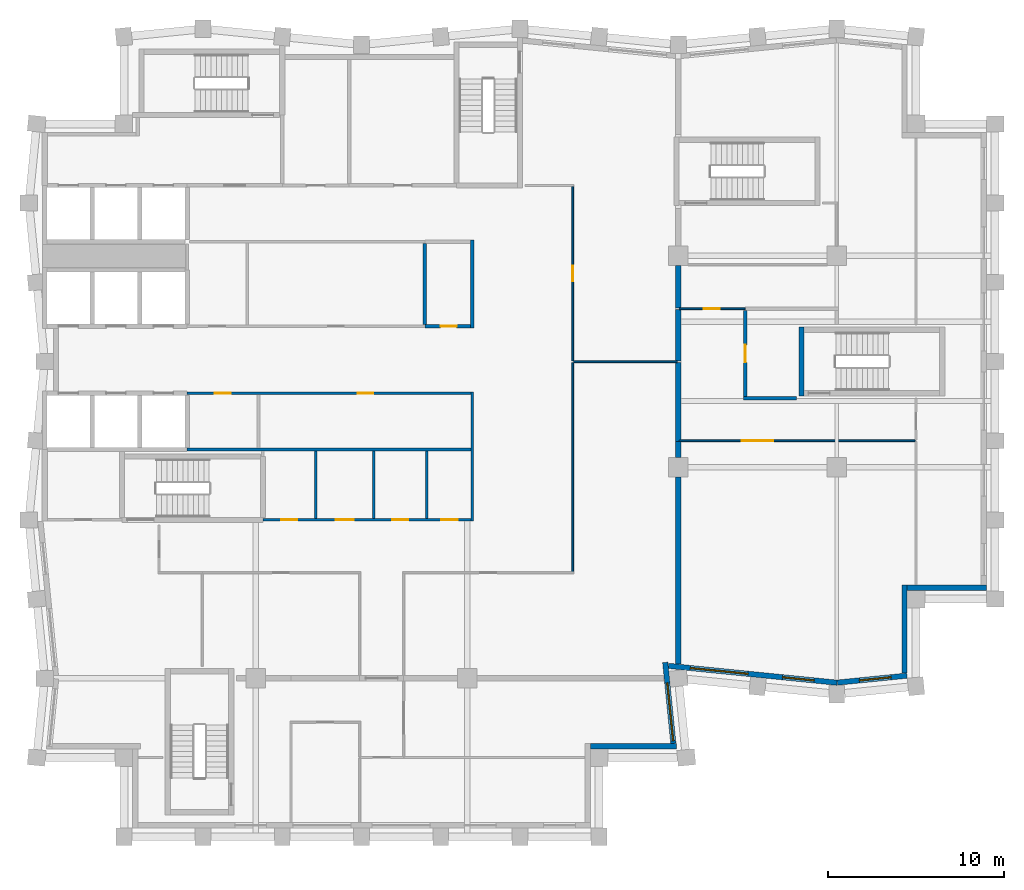
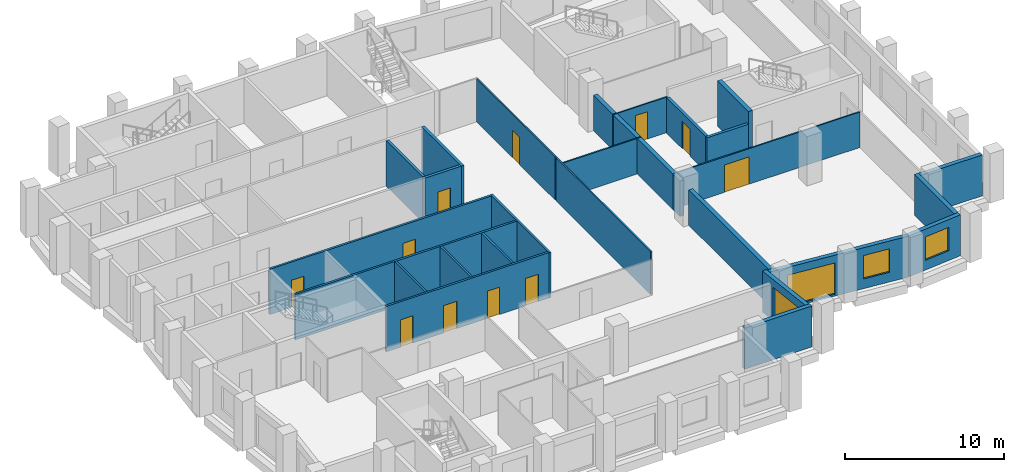
# One storey, part 4 of 8: 29 walls, 11 doors, 4 windows, 15 openings.
"""IFC4 building model written with IfcOpenShell, lengths in metres."""

from ifc_helpers import new_model, si_unit, direction, frame, frame_2d, origin, place, context, subcontext, project, spatial, rectangle, extrude, material, layer, layer_set, type_object, element, fill, save


model = new_model("IFC4")

# Units and contexts
model_context = context("Model", 3, precision=1e-05, world=origin(), true_north=direction((0.0, 1.0)))
body_context = subcontext(model_context, "Body", "Model", "MODEL_VIEW")
ifc_project = project(units=[si_unit("LENGTHUNIT", "METRE"), si_unit("AREAUNIT", "SQUARE_METRE"), si_unit("VOLUMEUNIT", "CUBIC_METRE"), si_unit("PLANEANGLEUNIT", "RADIAN"), si_unit("MASSUNIT", "GRAM", prefix="KILO")], contexts=[model_context])

# Site, building, storey
site_placement = place(None, origin())
site = spatial("IfcSite", under=ifc_project, at=site_placement, CompositionType="ELEMENT")
building_placement = place(site_placement, origin())
building = spatial("IfcBuilding", under=site, at=building_placement, Name="Brondeck Convention Tower", CompositionType="ELEMENT")
storey_placement = place(building_placement, frame((0.0, 0.0, 240.60009765625)))
storey = spatial("IfcBuildingStorey", under=building, at=storey_placement, Name="L59", CompositionType="ELEMENT", Elevation=240.60009765625)

# Walls
ifc_material_1 = material(Name="Concrete compartment wall C30/37", Category="concrete")
ifc_layer_1 = layer(ifc_material_1, 0.300048828125)
ifc_layer_set_1 = layer_set([ifc_layer_1], Name="Compartment wall 300")
wall_type_1 = type_object("IfcWallType", Name="Compartment wall 300", PredefinedType="PARTITIONING", material=ifc_layer_set_1)
wall_1_placement = place(storey_placement, frame((36.0, 27.823974609375, 0.0), z_axis=(0.0, 0.0, 1.0), x_axis=(0.0, 1.0, 0.0)))
element("IfcWall", 1, at=wall_1_placement, inside=storey, type_object=wall_type_1, Name="FLR-L59-W021", PredefinedType="PARTITIONING", context=body_context, shape_type="SweptSolid", body=[
    extrude(rectangle(XDim=10.62109375, YDim=0.300048828125, at=frame_2d((5.310546875, 0.0))), origin(), (0.0, 0.0, 1.0), 2.72998046875),
])
wall_2_placement = place(storey_placement, frame((36.0, 39.554931640625, 0.0), z_axis=(0.0, 0.0, 1.0), x_axis=(0.0, 1.0, 0.0)))
element("IfcWall", 2, at=wall_2_placement, inside=storey, type_object=wall_type_1, Name="FLR-L59-W030", PredefinedType="PARTITIONING", context=body_context, shape_type="SweptSolid", body=[
    extrude(rectangle(XDim=0.89501953125, YDim=0.300048828125, at=frame_2d((0.447509765625, 0.0))), origin(), (0.0, 0.0, 1.0), 2.72998046875),
])
wall_3_placement = place(storey_placement, frame((36.0, 40.455078125, 0.0), z_axis=(0.0, 0.0, 1.0), x_axis=(0.0, 1.0, 0.0)))
element("IfcWall", 3, at=wall_3_placement, inside=storey, type_object=wall_type_1, Name="FLR-L59-W032", PredefinedType="PARTITIONING", context=body_context, shape_type="SweptSolid", body=[
    extrude(rectangle(XDim=4.48486328125, YDim=0.300048828125, at=frame_2d((2.242431640625, 0.0))), origin(), (0.0, 0.0, 1.0), 2.72998046875),
])
wall_4_placement = place(storey_placement, frame((36.0, 45.0400390625, 0.0), z_axis=(0.0, 0.0, 1.0), x_axis=(0.0, 1.0, 0.0)))
element("IfcWall", 4, at=wall_4_placement, inside=storey, type_object=wall_type_1, Name="FLR-L59-W037", PredefinedType="PARTITIONING", context=body_context, shape_type="SweptSolid", body=[
    extrude(rectangle(XDim=2.909912109375, YDim=0.300048828125, at=frame_2d((1.455078125, 0.0))), origin(), (0.0, 0.0, 1.0), 2.72998046875),
])
wall_5_placement = place(storey_placement, frame((36.0, 48.050048828125, 0.0), z_axis=(0.0, 0.0, 1.0), x_axis=(0.0, 1.0, 0.0)))
element("IfcWall", 5, at=wall_5_placement, inside=storey, type_object=wall_type_1, Name="FLR-L59-W043", PredefinedType="PARTITIONING", context=body_context, shape_type="SweptSolid", body=[
    extrude(rectangle(XDim=2.39501953125, YDim=0.300048828125, at=frame_2d((1.197509765625, 0.0))), origin(), (0.0, 0.0, 1.0), 2.72998046875),
])

# Wall, openings, doors
ifc_material_2 = material(Name="Concrete C50/60", Category="concrete")
ifc_layer_2 = layer(ifc_material_2, 0.14990234375)
ifc_layer_set_2 = layer_set([ifc_layer_2], Name="Core beam-seat wall 150 Concrete C50/60")
wall_type_2 = type_object("IfcWallType", Name="Core beam-seat wall 150 Concrete C50/60", PredefinedType="SHEAR", material=ifc_layer_set_2)
wall_6_placement = place(storey_placement, frame((12.39990234375, 36.0, 0.0), z_axis=(0.0, 0.0, 1.0), x_axis=(1.0, 0.0, 0.0)))
wall_6 = element("IfcWall", 6, at=wall_6_placement, inside=storey, type_object=wall_type_2, Name="L59 core wall", PredefinedType="SHEAR", context=body_context, shape_type="SweptSolid", body=[
    extrude(rectangle(XDim=11.8251953125, YDim=0.14990234375, at=frame_2d((5.91259765625, 0.0))), origin(), (0.0, 0.0, 1.0), 3.5),
])
opening_1_placement = place(wall_6_placement, frame((1.050048828125, 0.0, 0.0)))
opening_1 = element("IfcOpeningElement", 7, at=opening_1_placement, cuts=wall_6, Name="Opening C32-03", PredefinedType="OPENING", context=body_context, shape_type="SweptSolid", body=[
    extrude(rectangle(XDim=0.89990234375, YDim=2.10009765625, at=frame_2d((0.449951171875, 1.050048828125))), frame((0.0, 0.0849609375, 0.0), z_axis=(0.0, -1.0, 0.0), x_axis=(1.0, 0.0, 0.0)), (0.0, 0.0, 1.0), 0.169921875),
])
opening_2_placement = place(wall_6_placement, frame((4.14990234375, 0.0, 0.0)))
opening_2 = element("IfcOpeningElement", 8, at=opening_2_placement, cuts=wall_6, Name="Opening C32-04", PredefinedType="OPENING", context=body_context, shape_type="SweptSolid", body=[
    extrude(rectangle(XDim=1.0, YDim=2.10009765625, at=frame_2d((0.5, 1.050048828125))), frame((0.0, 0.0849609375, 0.0), z_axis=(0.0, -1.0, 0.0), x_axis=(1.0, 0.0, 0.0)), (0.0, 0.0, 1.0), 0.169921875),
])
opening_3_placement = place(wall_6_placement, frame((7.35009765625, 0.0, 0.0)))
opening_3 = element("IfcOpeningElement", 9, at=opening_3_placement, cuts=wall_6, Name="Opening C32-05", PredefinedType="OPENING", context=body_context, shape_type="SweptSolid", body=[
    extrude(rectangle(XDim=0.89990234375, YDim=2.10009765625, at=frame_2d((0.449951171875, 1.050048828125))), frame((0.0, 0.0849609375, 0.0), z_axis=(0.0, -1.0, 0.0), x_axis=(1.0, 0.0, 0.0)), (0.0, 0.0, 1.0), 0.169921875),
])
opening_4_placement = place(wall_6_placement, frame((10.125, 0.0, 0.0)))
opening_4 = element("IfcOpeningElement", 10, at=opening_4_placement, cuts=wall_6, Name="Opening C32-06", PredefinedType="OPENING", context=body_context, shape_type="SweptSolid", body=[
    extrude(rectangle(XDim=0.949951171875, YDim=2.10009765625, at=frame_2d((0.47509765625, 1.050048828125))), frame((0.0, 0.0849609375, 0.0), z_axis=(0.0, -1.0, 0.0), x_axis=(1.0, 0.0, 0.0)), (0.0, 0.0, 1.0), 0.169921875),
])
ifc_material_3 = material(Name="Steel fire door", Category="steel")
door_type_1 = type_object("IfcDoorType", Name="Room door 1000x2100 EI 60", OperationType="NOTDEFINED", PredefinedType="DOOR", material=ifc_material_3)
door_1_placement = place(opening_2_placement, origin())
door_1 = element("IfcDoor", 11, at=door_1_placement, inside=storey, type_object=door_type_1, Name="L59 Room door FR-2", OperationType="SINGLE_SWING_LEFT", OverallHeight=2.10009765625, OverallWidth=1.0, PredefinedType="DOOR", context=body_context, shape_type="SweptSolid", body=[
    extrude(rectangle(XDim=1.0, YDim=2.10009765625, at=frame_2d((0.5, 1.050048828125))), frame((0.0, 0.02490234375, 0.0), z_axis=(0.0, -1.0, 0.0), x_axis=(1.0, 0.0, 0.0)), (0.0, 0.0, 1.0), 0.050048828125),
])
fill(opening_2, door_1)
door_type_2 = type_object("IfcDoorType", Name="Room door 900x2100 EI 60", OperationType="NOTDEFINED", PredefinedType="DOOR", material=ifc_material_3)
door_2_placement = place(opening_1_placement, origin())
door_2 = element("IfcDoor", 12, at=door_2_placement, inside=storey, type_object=door_type_2, Name="L59 Room door FR-1", OperationType="SINGLE_SWING_RIGHT", OverallHeight=2.10009765625, OverallWidth=0.89990234375, PredefinedType="DOOR", context=body_context, shape_type="SweptSolid", body=[
    extrude(rectangle(XDim=0.89990234375, YDim=2.10009765625, at=frame_2d((0.449951171875, 1.050048828125))), frame((0.0, 0.02490234375, 0.0), z_axis=(0.0, -1.0, 0.0), x_axis=(1.0, 0.0, 0.0)), (0.0, 0.0, 1.0), 0.050048828125),
])
fill(opening_1, door_2)
door_3_placement = place(opening_3_placement, origin())
door_3 = element("IfcDoor", 13, at=door_3_placement, inside=storey, type_object=door_type_2, Name="L59 Room door FR-3", OperationType="SINGLE_SWING_RIGHT", OverallHeight=2.10009765625, OverallWidth=0.89990234375, PredefinedType="DOOR", context=body_context, shape_type="SweptSolid", body=[
    extrude(rectangle(XDim=0.89990234375, YDim=2.10009765625, at=frame_2d((0.449951171875, 1.050048828125))), frame((0.0, 0.02490234375, 0.0), z_axis=(0.0, -1.0, 0.0), x_axis=(1.0, 0.0, 0.0)), (0.0, 0.0, 1.0), 0.050048828125),
])
fill(opening_3, door_3)
door_type_3 = type_object("IfcDoorType", Name="Room door 950x2100 EI 60", OperationType="NOTDEFINED", PredefinedType="DOOR", material=ifc_material_3)
door_4_placement = place(opening_4_placement, origin())
door_4 = element("IfcDoor", 14, at=door_4_placement, inside=storey, type_object=door_type_3, Name="L59 Room door FR-4", OperationType="SINGLE_SWING_LEFT", OverallHeight=2.10009765625, OverallWidth=0.949951171875, PredefinedType="DOOR", context=body_context, shape_type="SweptSolid", body=[
    extrude(rectangle(XDim=0.949951171875, YDim=2.10009765625, at=frame_2d((0.47509765625, 1.050048828125))), frame((0.0, 0.02490234375, 0.0), z_axis=(0.0, -1.0, 0.0), x_axis=(1.0, 0.0, 0.0)), (0.0, 0.0, 1.0), 0.050048828125),
])
fill(opening_4, door_4)

# Walls
ifc_layer_3 = layer(ifc_material_2, 0.199951171875)
ifc_layer_set_3 = layer_set([ifc_layer_3], Name="Core beam-seat wall 200 Concrete C50/60")
wall_type_3 = type_object("IfcWallType", Name="Core beam-seat wall 200 Concrete C50/60", PredefinedType="SHEAR", material=ifc_layer_set_3)
wall_7_placement = place(storey_placement, frame((24.300048828125, 46.89990234375, 0.0), z_axis=(0.0, 0.0, 1.0), x_axis=(0.0, 1.0, 0.0)))
element("IfcWall", 15, at=wall_7_placement, inside=storey, type_object=wall_type_3, Name="L59 core wall", PredefinedType="SHEAR", context=body_context, shape_type="SweptSolid", body=[
    extrude(rectangle(XDim=5.0, YDim=0.199951171875, at=frame_2d((2.5, 0.0))), origin(), (0.0, 0.0, 1.0), 3.5),
])
ifc_material_4 = material(Name="Fire-rated gypsum board partition")
ifc_layer_4 = layer(ifc_material_4, 0.14990234375)
ifc_layer_set_4 = layer_set([ifc_layer_4], Name="Core partition 150 EI 60")
wall_type_4 = type_object("IfcWallType", Name="Core partition 150 EI 60", PredefinedType="PARTITIONING", material=ifc_layer_set_4)
wall_8_placement = place(storey_placement, frame((8.10009765625, 40.0, 0.0), z_axis=(0.0, 0.0, 1.0), x_axis=(1.0, 0.0, 0.0)))
element("IfcWall", 16, at=wall_8_placement, inside=storey, type_object=wall_type_4, Name="L59 core wall", PredefinedType="PARTITIONING", context=body_context, shape_type="SweptSolid", body=[
    extrude(rectangle(XDim=16.125, YDim=0.14990234375, at=frame_2d((8.0625, 0.0))), origin(), (0.0, 0.0, 1.0), 3.5),
])

# Wall, openings, doors
wall_9_placement = place(storey_placement, frame((8.10009765625, 43.199951171875, 0.0), z_axis=(0.0, 0.0, 1.0), x_axis=(1.0, 0.0, 0.0)))
wall_9 = element("IfcWall", 17, at=wall_9_placement, inside=storey, type_object=wall_type_4, Name="L59 core wall", PredefinedType="PARTITIONING", context=body_context, shape_type="SweptSolid", body=[
    extrude(rectangle(XDim=16.125, YDim=0.14990234375, at=frame_2d((8.0625, 0.0))), origin(), (0.0, 0.0, 1.0), 3.5),
])
opening_5_placement = place(wall_9_placement, frame((1.574951171875, 0.0, 0.0)))
opening_5 = element("IfcOpeningElement", 18, at=opening_5_placement, cuts=wall_9, Name="Opening C32-10", PredefinedType="OPENING", context=body_context, shape_type="SweptSolid", body=[
    extrude(rectangle(XDim=0.89990234375, YDim=2.10009765625, at=frame_2d((0.449951171875, 1.050048828125))), frame((0.0, 0.0849609375, 0.0), z_axis=(0.0, -1.0, 0.0), x_axis=(1.0, 0.0, 0.0)), (0.0, 0.0, 1.0), 0.169921875),
])
opening_6_placement = place(wall_9_placement, frame((9.675048828125, 0.0, 0.0)))
opening_6 = element("IfcOpeningElement", 19, at=opening_6_placement, cuts=wall_9, Name="Opening C32-11", PredefinedType="OPENING", context=body_context, shape_type="SweptSolid", body=[
    extrude(rectangle(XDim=0.89990234375, YDim=2.10009765625, at=frame_2d((0.449951171875, 1.050048828125))), frame((0.0, 0.0849609375, 0.0), z_axis=(0.0, -1.0, 0.0), x_axis=(1.0, 0.0, 0.0)), (0.0, 0.0, 1.0), 0.169921875),
])
door_5_placement = place(opening_5_placement, origin())
door_5 = element("IfcDoor", 20, at=door_5_placement, inside=storey, type_object=door_type_2, Name="L59 Room door FZ-S-8.1-1", OperationType="SINGLE_SWING_RIGHT", OverallHeight=2.10009765625, OverallWidth=0.89990234375, PredefinedType="DOOR", context=body_context, shape_type="SweptSolid", body=[
    extrude(rectangle(XDim=0.89990234375, YDim=2.10009765625, at=frame_2d((0.449951171875, 1.050048828125))), frame((0.0, 0.02490234375, 0.0), z_axis=(0.0, -1.0, 0.0), x_axis=(1.0, 0.0, 0.0)), (0.0, 0.0, 1.0), 0.050048828125),
])
fill(opening_5, door_5)
door_6_placement = place(opening_6_placement, origin())
door_6 = element("IfcDoor", 21, at=door_6_placement, inside=storey, type_object=door_type_2, Name="L59 Room door FZ-S-8.1-2", OperationType="SINGLE_SWING_LEFT", OverallHeight=2.10009765625, OverallWidth=0.89990234375, PredefinedType="DOOR", context=body_context, shape_type="SweptSolid", body=[
    extrude(rectangle(XDim=0.89990234375, YDim=2.10009765625, at=frame_2d((0.449951171875, 1.050048828125))), frame((0.0, 0.02490234375, 0.0), z_axis=(0.0, -1.0, 0.0), x_axis=(1.0, 0.0, 0.0)), (0.0, 0.0, 1.0), 0.050048828125),
])
fill(opening_6, door_6)

# Walls
for number, where, z_axis, x_axis, name in (
    (22, (15.39990234375, 36.074951171875, 0.0), (0.0, 0.0, 1.0), (0.0, 1.0, 0.0), "L59 core wall"),
    (23, (18.699951171875, 36.074951171875, 0.0), (0.0, 0.0, 1.0), (0.0, 1.0, 0.0), "L59 core wall"),
    (24, (21.699951171875, 36.074951171875, 0.0), (0.0, 0.0, 1.0), (0.0, 1.0, 0.0), "L59 core wall"),
):
    element("IfcWall", number, at=place(storey_placement, frame(where, z_axis=z_axis, x_axis=x_axis)), inside=storey, type_object=wall_type_4, Name=name, PredefinedType="PARTITIONING", context=body_context, shape_type="SweptSolid", body=[
        extrude(rectangle(XDim=3.85009765625, YDim=0.14990234375, at=frame_2d((1.925048828125, 0.0))), origin(), (0.0, 0.0, 1.0), 3.5),
    ])
wall_10_placement = place(storey_placement, frame((24.300048828125, 35.925048828125, 0.0), z_axis=(0.0, 0.0, 1.0), x_axis=(0.0, 1.0, 0.0)))
element("IfcWall", 25, at=wall_10_placement, inside=storey, type_object=wall_type_4, Name="L59 core wall", PredefinedType="PARTITIONING", context=body_context, shape_type="SweptSolid", body=[
    extrude(rectangle(XDim=7.349853515625, YDim=0.14990234375, at=frame_2d((3.6748046875, 0.0))), origin(), (0.0, 0.0, 1.0), 3.5),
])
ifc_material_5 = material(Name="Precast concrete C50/60 bronze finish", Category="concrete")
ifc_layer_5 = layer(ifc_material_5, 0.070068359375, Name="Bronze precast facing")
ifc_material_6 = material(Name="Mineral wool")
ifc_layer_6 = layer(ifc_material_6, 0.159912109375, Name="Insulation")
ifc_material_7 = material(Name="Concrete C35/45", Category="concrete")
ifc_layer_7 = layer(ifc_material_7, 0.070068359375, Name="Backing")
ifc_layer_set_5 = layer_set([ifc_layer_5, ifc_layer_6, ifc_layer_7], Name="External infill wall, precast concrete C50/60 bronze facing")
wall_type_5 = type_object("IfcWallType", Name="External infill wall, precast concrete C50/60 bronze facing", PredefinedType="SOLIDWALL", material=ifc_layer_set_5)
wall_11_placement = place(storey_placement, frame((35.8974609375, 23.14990234375, 0.0), z_axis=(0.0, 0.0, 1.0), x_axis=(-1.0, 0.0, 0.0)))
element("IfcWall", 26, at=wall_11_placement, inside=storey, type_object=wall_type_5, Name="ENV-EW-L59-P2-NC-SEB18-02", PredefinedType="SOLIDWALL", context=body_context, shape_type="SweptSolid", body=[
    extrude(rectangle(XDim=4.8974609375, YDim=0.300048828125, at=frame_2d((2.44873046875, 0.0))), origin(), (0.0, 0.0, 1.0), 3.14990234375),
])

# Wall, opening, window
wall_12_placement = place(storey_placement, frame((35.255859375, 27.908203125, 0.0), z_axis=(0.0, 0.0, 1.0), x_axis=(0.099535070904, -0.995034054523, 0.0)))
wall_12 = element("IfcWall", 27, at=wall_12_placement, inside=storey, type_object=wall_type_5, Name="ENV-EW-L59-P2-B-E-00", PredefinedType="SOLIDWALL", context=body_context, shape_type="SweptSolid", body=[
    extrude(rectangle(XDim=4.6259765625, YDim=0.300048828125, at=frame_2d((2.31298828125, 0.0))), origin(), (0.0, 0.0, 1.0), 3.14990234375),
])
opening_7_placement = place(wall_12_placement, frame((1.176025390625, 0.0, 0.14990234375)))
opening_7 = element("IfcOpeningElement", 28, at=opening_7_placement, cuts=wall_12, Name="Opening W9", PredefinedType="OPENING", context=body_context, shape_type="SweptSolid", body=[
    extrude(rectangle(XDim=3.300048828125, YDim=2.39990234375, at=frame_2d((1.64990234375, 1.199951171875))), frame((0.0, 0.159912109375, 0.0), z_axis=(0.0, -1.0, 0.0), x_axis=(1.0, 0.0, 0.0)), (0.0, 0.0, 1.0), 0.320068359375),
])
ifc_material_8 = material(Name="Bronze tinted double glazing", Category="glass")
window_type_1 = type_object("IfcWindowType", Name="Glazed flute window, bronze tinted", PartitioningType="SINGLE_PANEL", PredefinedType="WINDOW", material=ifc_material_8)
window_1_placement = place(opening_7_placement, origin())
window_1 = element("IfcWindow", 29, at=window_1_placement, inside=storey, type_object=window_type_1, Name="ENV-WN-L59-P2-B-E-00", OverallHeight=2.39990234375, OverallWidth=3.300048828125, PartitioningType="SINGLE_PANEL", PredefinedType="WINDOW", context=body_context, shape_type="SweptSolid", body=[
    extrude(rectangle(XDim=3.300048828125, YDim=2.39990234375, at=frame_2d((1.64990234375, 1.199951171875))), frame((0.0, 0.030029296875, 0.0), z_axis=(0.0, -1.0, 0.0), x_axis=(1.0, 0.0, 0.0)), (0.0, 0.0, 1.0), 0.06005859375),
])
fill(opening_7, window_1)

# Wall, openings, windows
wall_13_placement = place(storey_placement, frame((45.014892578125, 26.751708984375, 0.0), z_axis=(0.0, 0.0, 1.0), x_axis=(-0.9950379439, 0.099496181828, 0.0)))
wall_13 = element("IfcWall", 30, at=wall_13_placement, inside=storey, type_object=wall_type_5, Name="ENV-EW-L59-P2-A-S-00", PredefinedType="SOLIDWALL", context=body_context, shape_type="SweptSolid", body=[
    extrude(rectangle(XDim=9.621337890625, YDim=0.300048828125, at=frame_2d((4.810546875, 0.0))), origin(), (0.0, 0.0, 1.0), 3.14990234375),
])
opening_8_placement = place(wall_13_placement, frame((1.311279296875, 0.0, 0.75)))
opening_8 = element("IfcOpeningElement", 31, at=opening_8_placement, cuts=wall_13, Name="Opening W10", PredefinedType="OPENING", context=body_context, shape_type="SweptSolid", body=[
    extrude(rectangle(XDim=1.800048828125, YDim=1.800048828125, at=frame_2d((0.89990234375, 0.89990234375))), frame((0.0, 0.159912109375, 0.0), z_axis=(0.0, -1.0, 0.0), x_axis=(1.0, 0.0, 0.0)), (0.0, 0.0, 1.0), 0.320068359375),
])
opening_9_placement = place(wall_13_placement, frame((5.08349609375, 0.0, 0.14990234375)))
opening_9 = element("IfcOpeningElement", 32, at=opening_9_placement, cuts=wall_13, Name="Opening W9", PredefinedType="OPENING", context=body_context, shape_type="SweptSolid", body=[
    extrude(rectangle(XDim=3.300048828125, YDim=2.39990234375, at=frame_2d((1.64990234375, 1.199951171875))), frame((0.0, 0.159912109375, 0.0), z_axis=(0.0, -1.0, 0.0), x_axis=(1.0, 0.0, 0.0)), (0.0, 0.0, 1.0), 0.320068359375),
])
window_2_placement = place(opening_9_placement, origin())
window_2 = element("IfcWindow", 33, at=window_2_placement, inside=storey, type_object=window_type_1, Name="ENV-WN-L59-P2-A-S-00", OverallHeight=2.39990234375, OverallWidth=3.300048828125, PartitioningType="SINGLE_PANEL", PredefinedType="WINDOW", context=body_context, shape_type="SweptSolid", body=[
    extrude(rectangle(XDim=3.300048828125, YDim=2.39990234375, at=frame_2d((1.64990234375, 1.199951171875))), frame((0.0, 0.030029296875, 0.0), z_axis=(0.0, -1.0, 0.0), x_axis=(1.0, 0.0, 0.0)), (0.0, 0.0, 1.0), 0.06005859375),
])
fill(opening_9, window_2)
window_type_2 = type_object("IfcWindowType", Name="Punched window, bronze tinted", PartitioningType="SINGLE_PANEL", PredefinedType="WINDOW", material=ifc_material_8)
window_3_placement = place(opening_8_placement, origin())
window_3 = element("IfcWindow", 34, at=window_3_placement, inside=storey, type_object=window_type_2, Name="ENV-WN-L59-P2-A-S-01", OverallHeight=1.800048828125, OverallWidth=1.800048828125, PartitioningType="SINGLE_PANEL", PredefinedType="WINDOW", context=body_context, shape_type="SweptSolid", body=[
    extrude(rectangle(XDim=1.800048828125, YDim=1.800048828125, at=frame_2d((0.89990234375, 0.89990234375))), frame((0.0, 0.030029296875, 0.0), z_axis=(0.0, -1.0, 0.0), x_axis=(1.0, 0.0, 0.0)), (0.0, 0.0, 1.0), 0.06005859375),
])
fill(opening_8, window_3)

# Wall, opening, window
wall_14_placement = place(storey_placement, frame((48.985107421875, 27.151611328125, 0.0), z_axis=(0.0, 0.0, 1.0), x_axis=(-0.995037798293, -0.099497638, 0.0)))
wall_14 = element("IfcWall", 35, at=wall_14_placement, inside=storey, type_object=wall_type_5, Name="ENV-EW-L59-P2-A-S-02", PredefinedType="SOLIDWALL", context=body_context, shape_type="SweptSolid", body=[
    extrude(rectangle(XDim=3.97509765625, YDim=0.300048828125, at=frame_2d((1.987548828125, 0.0))), origin(), (0.0, 0.0, 1.0), 3.14990234375),
])
opening_10_placement = place(wall_14_placement, frame((0.90869140625, 0.0, 0.75)))
opening_10 = element("IfcOpeningElement", 36, at=opening_10_placement, cuts=wall_14, Name="Opening W10", PredefinedType="OPENING", context=body_context, shape_type="SweptSolid", body=[
    extrude(rectangle(XDim=1.800048828125, YDim=1.800048828125, at=frame_2d((0.89990234375, 0.89990234375))), frame((0.0, 0.159912109375, 0.0), z_axis=(0.0, -1.0, 0.0), x_axis=(1.0, 0.0, 0.0)), (0.0, 0.0, 1.0), 0.320068359375),
])
window_4_placement = place(opening_10_placement, origin())
window_4 = element("IfcWindow", 37, at=window_4_placement, inside=storey, type_object=window_type_2, Name="ENV-WN-L59-P2-A-S-02", OverallHeight=1.800048828125, OverallWidth=1.800048828125, PartitioningType="SINGLE_PANEL", PredefinedType="WINDOW", context=body_context, shape_type="SweptSolid", body=[
    extrude(rectangle(XDim=1.800048828125, YDim=1.800048828125, at=frame_2d((0.89990234375, 0.89990234375))), frame((0.0, 0.030029296875, 0.0), z_axis=(0.0, -1.0, 0.0), x_axis=(1.0, 0.0, 0.0)), (0.0, 0.0, 1.0), 0.06005859375),
])
fill(opening_10, window_4)

# Walls
wall_15_placement = place(storey_placement, frame((48.85009765625, 32.300048828125, 0.0), z_axis=(0.0, 0.0, 1.0), x_axis=(0.0, -1.0, 0.0)))
element("IfcWall", 38, at=wall_15_placement, inside=storey, type_object=wall_type_5, Name="ENV-EW-L59-P2-NC-SEA54-01", PredefinedType="SOLIDWALL", context=body_context, shape_type="SweptSolid", body=[
    extrude(rectangle(XDim=5.009765625, YDim=0.300048828125, at=frame_2d((2.5048828125, 0.0))), origin(), (0.0, 0.0, 1.0), 3.14990234375),
])
wall_16_placement = place(storey_placement, frame((53.5, 32.14990234375, 0.0), z_axis=(0.0, 0.0, 1.0), x_axis=(-1.0, 0.0, 0.0)))
element("IfcWall", 39, at=wall_16_placement, inside=storey, type_object=wall_type_5, Name="ENV-EW-L59-P2-NC-SEA54-02", PredefinedType="SOLIDWALL", context=body_context, shape_type="SweptSolid", body=[
    extrude(rectangle(XDim=4.501953125, YDim=0.300048828125, at=frame_2d((2.2509765625, 0.0))), origin(), (0.0, 0.0, 1.0), 3.14990234375),
])
ifc_material_9 = material(Name="Concrete block wall C16/20", Category="concrete")
ifc_layer_8 = layer(ifc_material_9, 0.199951171875)
ifc_layer_set_6 = layer_set([ifc_layer_8], Name="Plant room wall 200")
wall_type_6 = type_object("IfcWallType", Name="Plant room wall 200", PredefinedType="PARTITIONING", material=ifc_layer_set_6)
wall_17_placement = place(storey_placement, frame((39.699951171875, 42.89990234375, 0.0), z_axis=(0.0, 0.0, 1.0), x_axis=(1.0, 0.0, 0.0)))
element("IfcWall", 40, at=wall_17_placement, inside=storey, type_object=wall_type_6, Name="FLR-L59-W033", PredefinedType="PARTITIONING", context=body_context, shape_type="SweptSolid", body=[
    extrude(rectangle(XDim=3.0, YDim=0.199951171875, at=frame_2d((1.5, 0.0))), origin(), (0.0, 0.0, 1.0), 2.72998046875),
])

# Wall, opening, door
wall_18_placement = place(storey_placement, frame((39.800048828125, 47.89990234375, 0.0), z_axis=(0.0, 0.0, 1.0), x_axis=(0.0, -1.0, 0.0)))
wall_18 = element("IfcWall", 41, at=wall_18_placement, inside=storey, type_object=wall_type_6, Name="FLR-L59-W039", PredefinedType="PARTITIONING", context=body_context, shape_type="SweptSolid", body=[
    extrude(rectangle(XDim=4.89990234375, YDim=0.199951171875, at=frame_2d((2.449951171875, 0.0))), origin(), (0.0, 0.0, 1.0), 2.72998046875),
])
opening_11_placement = place(wall_18_placement, frame((1.949951171875, 0.0, 0.0)))
opening_11 = element("IfcOpeningElement", 42, at=opening_11_placement, cuts=wall_18, Name="Opening OF-O-001", PredefinedType="OPENING", context=body_context, shape_type="SweptSolid", body=[
    extrude(rectangle(XDim=1.0, YDim=2.10009765625, at=frame_2d((0.5, 1.050048828125))), frame((0.0, 0.10986328125, 0.0), z_axis=(0.0, -1.0, 0.0), x_axis=(1.0, 0.0, 0.0)), (0.0, 0.0, 1.0), 0.219970703125),
])
ifc_material_10 = material(Name="Steel fire door leaf", Category="steel")
door_type_4 = type_object("IfcDoorType", Name="Plant room door 1000", OperationType="NOTDEFINED", PredefinedType="DOOR", material=ifc_material_10)
door_7_placement = place(opening_11_placement, origin())
door_7 = element("IfcDoor", 43, at=door_7_placement, inside=storey, type_object=door_type_4, Name="Door OF-O-001", OperationType="SINGLE_SWING_RIGHT", OverallHeight=2.10009765625, OverallWidth=1.0, PredefinedType="DOOR", context=body_context, shape_type="SweptSolid", body=[
    extrude(rectangle(XDim=1.0, YDim=2.10009765625, at=frame_2d((0.5, 1.050048828125))), frame((0.0, 0.02490234375, 0.0), z_axis=(0.0, -1.0, 0.0), x_axis=(1.0, 0.0, 0.0)), (0.0, 0.0, 1.0), 0.050048828125),
])
fill(opening_11, door_7)

ifc_layer_9 = layer(ifc_material_4, 0.199951171875)
ifc_layer_set_7 = layer_set([ifc_layer_9], Name="Riser wall 200 EI 120")
wall_type_7 = type_object("IfcWallType", Name="Riser wall 200 EI 120", PredefinedType="PARTITIONING", material=ifc_layer_set_7)
wall_19_placement = place(storey_placement, frame((21.60009765625, 47.0, 0.0), z_axis=(0.0, 0.0, 1.0), x_axis=(1.0, 0.0, 0.0)))
wall_19 = element("IfcWall", 44, at=wall_19_placement, inside=storey, type_object=wall_type_7, Name="L59 core wall", PredefinedType="PARTITIONING", context=body_context, shape_type="SweptSolid", body=[
    extrude(rectangle(XDim=2.599853515625, YDim=0.199951171875, at=frame_2d((1.2998046875, 0.0))), origin(), (0.0, 0.0, 1.0), 3.5),
])
opening_12_placement = place(wall_19_placement, frame((0.89990234375, 0.0, 0.0)))
opening_12 = element("IfcOpeningElement", 45, at=opening_12_placement, cuts=wall_19, Name="Opening C32-02", PredefinedType="OPENING", context=body_context, shape_type="SweptSolid", body=[
    extrude(rectangle(XDim=0.89990234375, YDim=2.10009765625, at=frame_2d((0.449951171875, 1.050048828125))), frame((0.0, 0.10986328125, 0.0), z_axis=(0.0, -1.0, 0.0), x_axis=(1.0, 0.0, 0.0)), (0.0, 0.0, 1.0), 0.219970703125),
])
door_type_5 = type_object("IfcDoorType", Name="Riser door 900x2100 EI 120", OperationType="NOTDEFINED", PredefinedType="DOOR", material=ifc_material_3)
door_8_placement = place(opening_12_placement, origin())
door_8 = element("IfcDoor", 46, at=door_8_placement, inside=storey, type_object=door_type_5, Name="L59 Riser door EN-1", OperationType="SINGLE_SWING_LEFT", OverallHeight=2.10009765625, OverallWidth=0.89990234375, PredefinedType="DOOR", context=body_context, shape_type="SweptSolid", body=[
    extrude(rectangle(XDim=0.89990234375, YDim=2.10009765625, at=frame_2d((0.449951171875, 1.050048828125))), frame((0.0, 0.02490234375, 0.0), z_axis=(0.0, -1.0, 0.0), x_axis=(1.0, 0.0, 0.0)), (0.0, 0.0, 1.0), 0.050048828125),
])
fill(opening_12, door_8)

# Wall
wall_20_placement = place(storey_placement, frame((21.60009765625, 47.10009765625, 0.0), z_axis=(0.0, 0.0, 1.0), x_axis=(0.0, 1.0, 0.0)))
element("IfcWall", 47, at=wall_20_placement, inside=storey, type_object=wall_type_7, Name="L59 core wall", PredefinedType="PARTITIONING", context=body_context, shape_type="SweptSolid", body=[
    extrude(rectangle(XDim=4.599853515625, YDim=0.199951171875, at=frame_2d((2.2998046875, 0.0))), origin(), (0.0, 0.0, 1.0), 3.5),
])

# Wall, opening, door
ifc_material_11 = material(Name="Gypsum board partition on steel studs", Category="steel")
ifc_layer_10 = layer(ifc_material_11, 0.10009765625)
ifc_layer_set_8 = layer_set([ifc_layer_10], Name="Room partition 100")
wall_type_8 = type_object("IfcWallType", Name="Room partition 100", PredefinedType="PARTITIONING", material=ifc_layer_set_8)
wall_21_placement = place(storey_placement, frame((49.449951171875, 40.5, 0.0), z_axis=(0.0, 0.0, 1.0), x_axis=(-1.0, 0.0, 0.0)))
wall_21 = element("IfcWall", 48, at=wall_21_placement, inside=storey, type_object=wall_type_8, Name="FLR-L59-W031", PredefinedType="PARTITIONING", context=body_context, shape_type="SweptSolid", body=[
    extrude(rectangle(XDim=13.39990234375, YDim=0.10009765625, at=frame_2d((6.699951171875, 0.0))), origin(), (0.0, 0.0, 1.0), 2.72998046875),
])
opening_13_placement = place(wall_21_placement, frame((8.050048828125, 0.0, 0.0)))
opening_13 = element("IfcOpeningElement", 49, at=opening_13_placement, cuts=wall_21, Name="Opening OF-O-004", PredefinedType="OPENING", context=body_context, shape_type="SweptSolid", body=[
    extrude(rectangle(XDim=1.800048828125, YDim=2.10009765625, at=frame_2d((0.89990234375, 1.050048828125))), frame((0.0, 0.06005859375, 0.0), z_axis=(0.0, -1.0, 0.0), x_axis=(1.0, 0.0, 0.0)), (0.0, 0.0, 1.0), 0.1201171875),
])
ifc_material_12 = material(Name="Glazed timber double door", Category="wood")
door_type_6 = type_object("IfcDoorType", Name="Double door 1800", OperationType="DOUBLE_DOOR_SINGLE_SWING", PredefinedType="DOOR", material=ifc_material_12)
door_9_placement = place(opening_13_placement, origin())
door_9 = element("IfcDoor", 50, at=door_9_placement, inside=storey, type_object=door_type_6, Name="Door OF-O-004", OperationType="DOUBLE_DOOR_SINGLE_SWING", OverallHeight=2.10009765625, OverallWidth=1.800048828125, PredefinedType="DOOR", context=body_context, shape_type="SweptSolid", body=[
    extrude(rectangle(XDim=1.800048828125, YDim=2.10009765625, at=frame_2d((0.89990234375, 1.050048828125))), frame((0.0, 0.02490234375, 0.0), z_axis=(0.0, -1.0, 0.0), x_axis=(1.0, 0.0, 0.0)), (0.0, 0.0, 1.0), 0.050048828125),
])
fill(opening_13, door_9)

# Walls
wall_22_placement = place(storey_placement, frame((30.0, 44.93994140625, 0.0), z_axis=(0.0, 0.0, 1.0), x_axis=(0.0, -1.0, 0.0)))
element("IfcWall", 51, at=wall_22_placement, inside=storey, type_object=wall_type_8, Name="FLR-L59-W035", PredefinedType="PARTITIONING", context=body_context, shape_type="SweptSolid", body=[
    extrude(rectangle(XDim=11.889892578125, YDim=0.10009765625, at=frame_2d((5.94482421875, 0.0))), origin(), (0.0, 0.0, 1.0), 3.329833984375),
])
wall_23_placement = place(storey_placement, frame((30.050048828125, 44.989990234375, 0.0), z_axis=(0.0, 0.0, 1.0), x_axis=(1.0, 0.0, 0.0)))
element("IfcWall", 52, at=wall_23_placement, inside=storey, type_object=wall_type_8, Name="FLR-L59-W036", PredefinedType="PARTITIONING", context=body_context, shape_type="SweptSolid", body=[
    extrude(rectangle(XDim=5.89990234375, YDim=0.10009765625, at=frame_2d((2.949951171875, 0.0))), origin(), (0.0, 0.0, 1.0), 2.72998046875),
])

# Wall, opening, door
wall_24_placement = place(storey_placement, frame((36.050048828125, 48.0, 0.0), z_axis=(0.0, 0.0, 1.0), x_axis=(1.0, 0.0, 0.0)))
wall_24 = element("IfcWall", 53, at=wall_24_placement, inside=storey, type_object=wall_type_8, Name="FLR-L59-W041", PredefinedType="PARTITIONING", context=body_context, shape_type="SweptSolid", body=[
    extrude(rectangle(XDim=3.75, YDim=0.10009765625, at=frame_2d((1.875, 0.0))), origin(), (0.0, 0.0, 1.0), 2.72998046875),
])
opening_14_placement = place(wall_24_placement, frame((1.39990234375, 0.0, 0.0)))
opening_14 = element("IfcOpeningElement", 54, at=opening_14_placement, cuts=wall_24, Name="Opening OF-O-005", PredefinedType="OPENING", context=body_context, shape_type="SweptSolid", body=[
    extrude(rectangle(XDim=0.89990234375, YDim=2.10009765625, at=frame_2d((0.449951171875, 1.050048828125))), frame((0.0, 0.06005859375, 0.0), z_axis=(0.0, -1.0, 0.0), x_axis=(1.0, 0.0, 0.0)), (0.0, 0.0, 1.0), 0.1201171875),
])
ifc_material_13 = material(Name="Solid timber door leaf", Category="wood")
door_type_7 = type_object("IfcDoorType", Name="Single door 900", OperationType="NOTDEFINED", PredefinedType="DOOR", material=ifc_material_13)
door_10_placement = place(opening_14_placement, origin())
door_10 = element("IfcDoor", 55, at=door_10_placement, inside=storey, type_object=door_type_7, Name="Door OF-O-005", OperationType="SINGLE_SWING_LEFT", OverallHeight=2.10009765625, OverallWidth=0.89990234375, PredefinedType="DOOR", context=body_context, shape_type="SweptSolid", body=[
    extrude(rectangle(XDim=0.89990234375, YDim=2.10009765625, at=frame_2d((0.449951171875, 1.050048828125))), frame((0.0, 0.02490234375, 0.0), z_axis=(0.0, -1.0, 0.0), x_axis=(1.0, 0.0, 0.0)), (0.0, 0.0, 1.0), 0.050048828125),
])
fill(opening_14, door_10)

wall_25_placement = place(storey_placement, frame((30.0, 54.949951171875, 0.0), z_axis=(0.0, 0.0, 1.0), x_axis=(0.0, -1.0, 0.0)))
wall_25 = element("IfcWall", 56, at=wall_25_placement, inside=storey, type_object=wall_type_8, Name="FLR-L59-W048", PredefinedType="PARTITIONING", context=body_context, shape_type="SweptSolid", body=[
    extrude(rectangle(XDim=9.909912109375, YDim=0.10009765625, at=frame_2d((4.955078125, 0.0))), origin(), (0.0, 0.0, 1.0), 3.329833984375),
])
opening_15_placement = place(wall_25_placement, frame((4.5048828125, 0.0, 0.0)))
opening_15 = element("IfcOpeningElement", 57, at=opening_15_placement, cuts=wall_25, Name="Opening OF-O-011", PredefinedType="OPENING", context=body_context, shape_type="SweptSolid", body=[
    extrude(rectangle(XDim=0.89990234375, YDim=2.10009765625, at=frame_2d((0.449951171875, 1.050048828125))), frame((0.0, 0.06005859375, 0.0), z_axis=(0.0, -1.0, 0.0), x_axis=(1.0, 0.0, 0.0)), (0.0, 0.0, 1.0), 0.1201171875),
])
door_11_placement = place(opening_15_placement, origin())
door_11 = element("IfcDoor", 58, at=door_11_placement, inside=storey, type_object=door_type_7, Name="Door OF-O-011", OperationType="SINGLE_SWING_LEFT", OverallHeight=2.10009765625, OverallWidth=0.89990234375, PredefinedType="DOOR", context=body_context, shape_type="SweptSolid", body=[
    extrude(rectangle(XDim=0.89990234375, YDim=2.10009765625, at=frame_2d((0.449951171875, 1.050048828125))), frame((0.0, 0.02490234375, 0.0), z_axis=(0.0, -1.0, 0.0), x_axis=(1.0, 0.0, 0.0)), (0.0, 0.0, 1.0), 0.050048828125),
])
fill(opening_15, door_11)

# Wall
ifc_layer_11 = layer(ifc_material_2, 0.300048828125)
ifc_layer_set_9 = layer_set([ifc_layer_11], Name="Stair enclosure wall 300 Concrete C50/60")
wall_type_9 = type_object("IfcWallType", Name="Stair enclosure wall 300 Concrete C50/60", PredefinedType="SHEAR", material=ifc_layer_set_9)
wall_26_placement = place(storey_placement, frame((43.0, 43.050048828125, 0.0), z_axis=(0.0, 0.0, 1.0), x_axis=(0.0, 1.0, 0.0)))
element("IfcWall", 59, at=wall_26_placement, inside=storey, type_object=wall_type_9, Name="L59 core wall", PredefinedType="SHEAR", context=body_context, shape_type="SweptSolid", body=[
    extrude(rectangle(XDim=3.89990234375, YDim=0.300048828125, at=frame_2d((1.949951171875, 0.0))), origin(), (0.0, 0.0, 1.0), 3.5),
])

save(model, "model.ifc")
